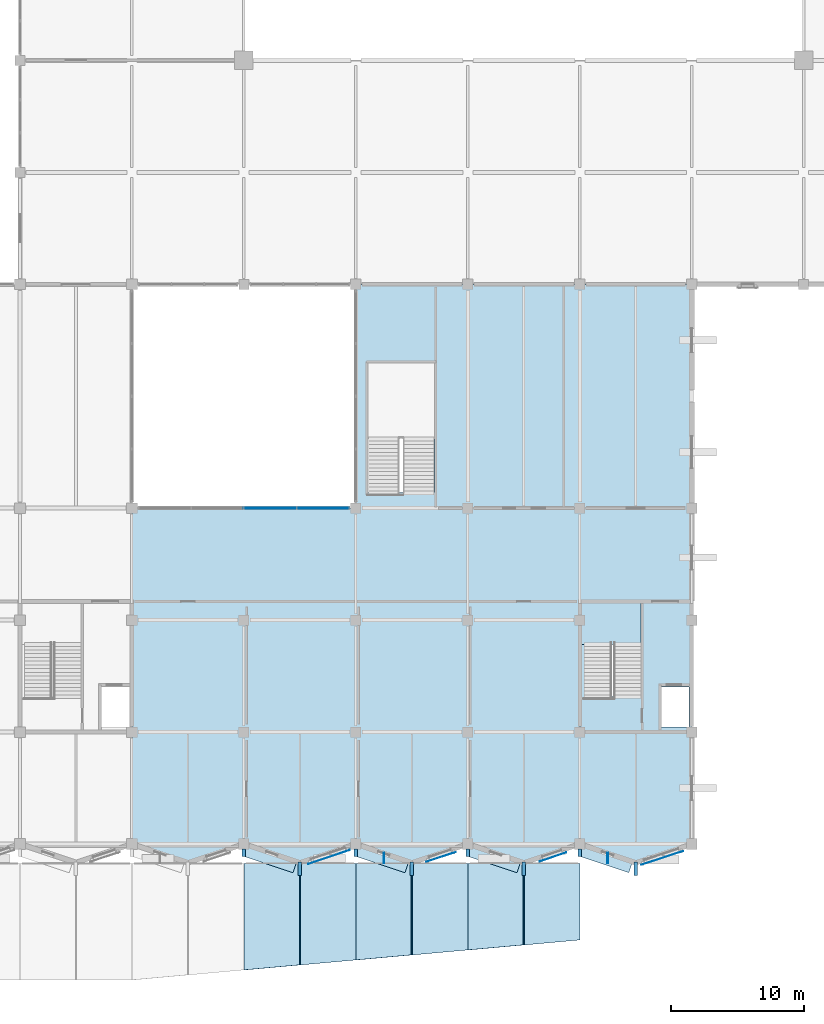
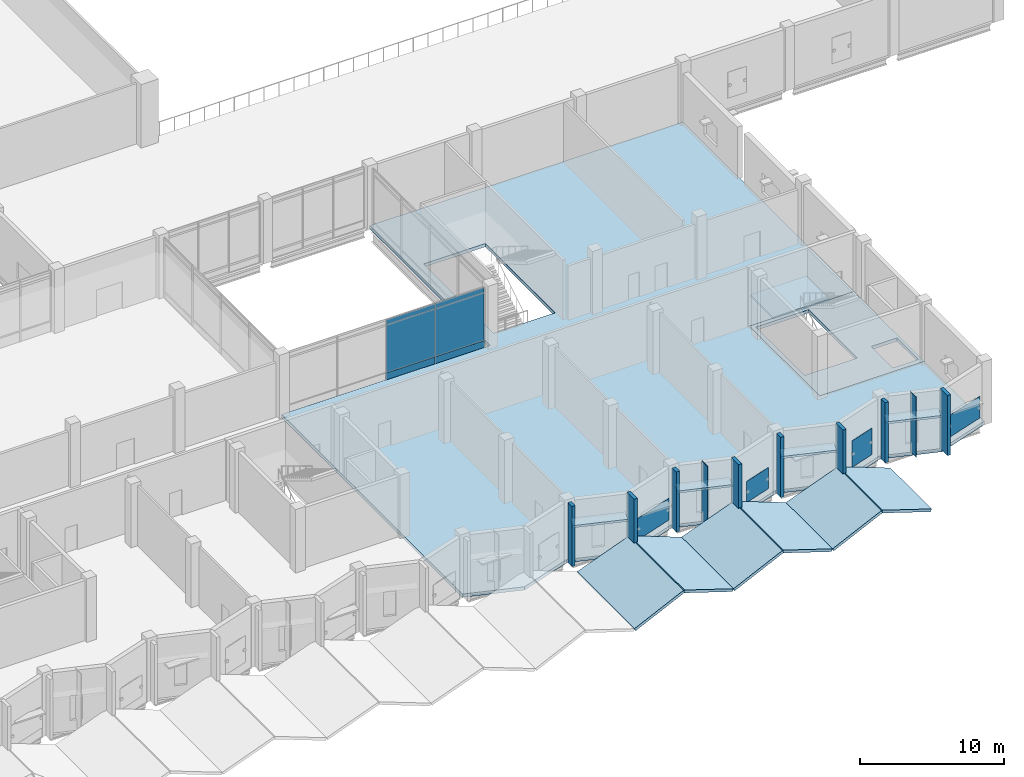
# One storey, part 42 of 72: 24 plates, 9 slabs, 2 elements without a shape of their own.
"""IFC4 building model written with IfcOpenShell, lengths in metres."""

from ifc_helpers import new_model, si_unit, direction, frame, frame_2d, origin, place, context, subcontext, project, spatial, polyline, rectangle, outline, extrude, material, layer, layer_set, type_object, element, aggregate, save


model = new_model("IFC4")

# Units and contexts
model_context = context("Model", 3, precision=1e-05, world=origin(), true_north=direction((0.0, 1.0)))
body_context = subcontext(model_context, "Body", "Model", "MODEL_VIEW")
ifc_project = project(units=[si_unit("LENGTHUNIT", "METRE"), si_unit("AREAUNIT", "SQUARE_METRE"), si_unit("VOLUMEUNIT", "CUBIC_METRE"), si_unit("PLANEANGLEUNIT", "RADIAN"), si_unit("MASSUNIT", "GRAM", prefix="KILO")], contexts=[model_context])

# Site, building, storey
site_placement = place(None, origin())
site = spatial("IfcSite", under=ifc_project, at=site_placement, CompositionType="ELEMENT")
building_placement = place(site_placement, origin())
building = spatial("IfcBuilding", under=site, at=building_placement, Name="Qawsi Khor Wholesale Market", CompositionType="ELEMENT")
storey_placement = place(building_placement, frame((0.0, 0.0, 6.0)))
storey = spatial("IfcBuildingStorey", under=building, at=storey_placement, Name="L01", CompositionType="ELEMENT", Elevation=6.0)

# Slabs
ifc_material_1 = material(Name="Concrete C40/50", Category="concrete")
ifc_layer_1 = layer(ifc_material_1, 0.22998046875, Name="Concrete C40/50")
ifc_layer_set_1 = layer_set([ifc_layer_1], Name="Concrete C40/50")
slab_type_1 = type_object("IfcSlabType", Name="Folded Concrete Canopy Slab 230 C40/50", PredefinedType="ROOF", material=ifc_layer_set_1)
slab_1_placement = place(storey_placement, frame((159.60009765625, -9.449951171875, -0.14990234375), z_axis=(-0.353447602704, 0.0, 0.935454323921), x_axis=(0.932137757173, 0.084132306676, 0.352194486933)))
element("IfcSlab", 1, at=slab_1_placement, inside=storey, type_object=slab_type_1, Name="Boulevard Origami Canopy Facet 19A", PredefinedType="ROOF", context=body_context, shape_type="SweptSolid", body=[
    extrude(outline(polyline([(0.0, 0.0), (4.457265167383402, -4.163336342344337e-17), (5.098774005790378, 7.597966268038161), (0.6730584534105974, 7.971636740236759), (0.0, 0.0)])), origin(), (0.0, 0.0, -1.0), 0.22998046875),
])
slab_2_placement = place(storey_placement, frame((163.844970703125, -9.074951171875, 1.419921875), z_axis=(0.353429429104, 0.0, 0.935461190346), x_axis=(0.932144938499, 0.084128011372, -0.352176505937)))
element("IfcSlab", 2, at=slab_2_placement, inside=storey, type_object=slab_type_1, Name="Boulevard Origami Canopy Facet 19B", PredefinedType="ROOF", context=body_context, shape_type="SweptSolid", body=[
    extrude(outline(polyline([(0.0, 0.0), (4.457492740954674, -6.938893903907228e-18), (5.067420823399003, 7.22429842505456), (0.6414760867086908, 7.597969033247037), (0.0, 0.0)])), origin(), (0.0, 0.0, -1.0), 0.22998046875),
])
slab_3_placement = place(storey_placement, frame((168.0, -8.699951171875, -0.14990234375), z_axis=(-0.353429429104, 0.0, 0.935461190346), x_axis=(0.932144938499, 0.084128011372, 0.352176505937)))
element("IfcSlab", 3, at=slab_3_placement, inside=storey, type_object=slab_type_1, Name="Boulevard Origami Canopy Facet 20A", PredefinedType="ROOF", context=body_context, shape_type="SweptSolid", body=[
    extrude(outline(polyline([(0.0, 0.0), (4.457492740954674, 0.0), (5.035872819134641, 6.850627816862082), (0.6099280824443291, 7.22429842505456), (0.0, 0.0)])), origin(), (0.0, 0.0, -1.0), 0.22998046875),
])
slab_4_placement = place(storey_placement, frame((172.2451171875, -8.324951171875, 1.419921875), z_axis=(0.353447602704, 0.0, 0.935454323921), x_axis=(0.932137757173, 0.084132306676, -0.352194486933)))
element("IfcSlab", 4, at=slab_4_placement, inside=storey, type_object=slab_type_1, Name="Boulevard Origami Canopy Facet 20B", PredefinedType="ROOF", context=body_context, shape_type="SweptSolid", body=[
    extrude(outline(polyline([(0.0, 0.0), (4.457265167383402, -4.163336342344337e-17), (5.0041251607795125, 6.4769548514423665), (0.5784096083997322, 6.850625323640965), (0.0, 0.0)])), origin(), (0.0, 0.0, -1.0), 0.22998046875),
])
slab_5_placement = place(storey_placement, frame((176.39990234375, -7.949951171875, -0.14990234375), z_axis=(-0.353429429104, 0.0, 0.935461190346), x_axis=(0.932144938499, 0.084128011372, 0.352176505937)))
element("IfcSlab", 5, at=slab_5_placement, inside=storey, type_object=slab_type_1, Name="Boulevard Origami Canopy Facet 21A", PredefinedType="ROOF", context=body_context, shape_type="SweptSolid", body=[
    extrude(outline(polyline([(0.0, 0.0), (4.457492740954674, 0.0), (4.972776810605917, 6.103286600477127), (0.5468320739156053, 6.476957208669605), (0.0, 0.0)])), origin(), (0.0, 0.0, -1.0), 0.22998046875),
])
slab_6_placement = place(storey_placement, frame((180.64501953125, -7.574951171875, 1.419921875), z_axis=(0.353429429104, 0.0, 0.935461190346), x_axis=(0.932144938499, 0.084128011372, -0.352176505937)))
element("IfcSlab", 6, at=slab_6_placement, inside=storey, type_object=slab_type_1, Name="Boulevard Origami Canopy Facet 21B", PredefinedType="ROOF", context=body_context, shape_type="SweptSolid", body=[
    extrude(outline(polyline([(0.0, 0.0), (4.457492740954674, 0.0), (4.941228806341556, 5.72961599228465), (0.5152840696512435, 6.103286600477127), (0.0, 0.0)])), origin(), (0.0, 0.0, -1.0), 0.22998046875),
])

# Curtain wall, plates
ifc_material_2 = material(Name="Aluminium Anodised Bronze", Category="aluminium")
ifc_layer_2 = layer(ifc_material_2, 0.179931640625, Name="Aluminium Anodised Bronze")
ifc_layer_set_2 = layer_set([ifc_layer_2], Name="Aluminium Anodised Bronze")
curtain_wall_type = type_object("IfcCurtainWallType", Name="Atrium Full-Height Curtain Wall CW-02", PredefinedType="NOTDEFINED", material=ifc_layer_set_2)
curtain_wall_placement = place(storey_placement, origin())
curtain_wall = element("IfcCurtainWall", 7, at=curtain_wall_placement, inside=storey, type_object=curtain_wall_type, Name="Curtain wall CW-CW-02-L01-036", PredefinedType="NOTDEFINED")
ifc_material_3 = material(Name="Anodised Aluminium Spandrel", Category="aluminium")
ifc_layer_3 = layer(ifc_material_3, 0.06494140625, Name="Anodised Aluminium Spandrel")
ifc_layer_set_3 = layer_set([ifc_layer_3], Name="Anodised Aluminium Spandrel")
plate_type_1 = type_object("IfcPlateType", Name="Insulated Spandrel Panel CW-02 65mm", PredefinedType="CURTAIN_PANEL", material=ifc_layer_set_3)
plate_1_placement = place(storey_placement, frame((159.60009765625, 25.199951171875, 0.0048828125), z_axis=(0.0, 0.0, 1.0), x_axis=(1.0, 0.0, 0.0)))
plate_1 = element("IfcPlate", 8, at=plate_1_placement, type_object=plate_type_1, Name="Curtain panel CW-CW-02-L01-036-P0_02", PredefinedType="CURTAIN_PANEL", context=body_context, shape_type="SweptSolid", body=[
    extrude(rectangle(XDim=3.952392578125, YDim=0.06494140625, at=frame_2d((1.97607421875, 0.0))), origin(), (0.0, 0.0, 1.0), 0.590087890625),
])
plate_2_placement = place(storey_placement, frame((163.552490234375, 25.199951171875, 0.0048828125), z_axis=(0.0, 0.0, 1.0), x_axis=(1.0, 0.0, 0.0)))
plate_2 = element("IfcPlate", 9, at=plate_2_placement, type_object=plate_type_1, Name="Curtain panel CW-CW-02-L01-036-P0_03", PredefinedType="CURTAIN_PANEL", context=body_context, shape_type="SweptSolid", body=[
    extrude(rectangle(XDim=3.952392578125, YDim=0.06494140625, at=frame_2d((1.97607421875, 0.0))), origin(), (0.0, 0.0, 1.0), 0.590087890625),
])

# Plates
ifc_material_4 = material(Name="Perforated Bronze-Anodised Aluminium", Category="aluminium")
ifc_layer_4 = layer(ifc_material_4, 0.014892578125, Name="Perforated Bronze-Anodised Aluminium")
ifc_layer_set_4 = layer_set([ifc_layer_4], Name="Perforated Bronze-Anodised Aluminium")
plate_type_2 = type_object("IfcPlateType", Name="Perforated Bronze Mashrabiya Screen 15mm", PredefinedType="SHEET", material=ifc_layer_set_4)
plate_3_placement = place(storey_placement, frame((167.555908203125, -0.448486328125, 0.85009765625), z_axis=(0.0, 0.0, 1.0), x_axis=(-0.948690696143, -0.316205570874, 0.0)))
element("IfcPlate", 10, at=plate_3_placement, inside=storey, type_object=plate_type_2, Name="Solar mashrabiya screen 017", PredefinedType="SHEET", context=body_context, shape_type="SweptSolid", body=[
    extrude(rectangle(XDim=3.300048828125, YDim=0.014892578125, at=frame_2d((1.64990234375, 0.0))), origin(), (0.0, 0.0, 1.0), 1.849853515625),
])
plate_4_placement = place(storey_placement, frame((175.4912109375, -0.603515625, 0.85009765625), z_axis=(0.0, 0.0, 1.0), x_axis=(-0.948714864533, -0.31613305081, 0.0)))
element("IfcPlate", 11, at=plate_4_placement, inside=storey, type_object=plate_type_2, Name="Solar mashrabiya screen 018", PredefinedType="SHEET", context=body_context, shape_type="SweptSolid", body=[
    extrude(rectangle(XDim=2.31982421875, YDim=0.014892578125, at=frame_2d((1.159912109375, 0.0))), origin(), (0.0, 0.0, 1.0), 1.7998046875),
])
plate_5_placement = place(storey_placement, frame((183.786865234375, -0.63818359375, 0.85009765625), z_axis=(0.0, 0.0, 1.0), x_axis=(-0.948683298051, -0.316227766017, 0.0)))
element("IfcPlate", 12, at=plate_5_placement, inside=storey, type_object=plate_type_2, Name="Solar mashrabiya screen 019", PredefinedType="SHEET", context=body_context, shape_type="SweptSolid", body=[
    extrude(rectangle(XDim=2.099853515625, YDim=0.014892578125, at=frame_2d((1.0498046875, 0.0))), origin(), (0.0, 0.0, 1.0), 2.25),
])
plate_6_placement = place(storey_placement, frame((192.557373046875, -0.528564453125, 0.85009765625), z_axis=(0.0, 0.0, 1.0), x_axis=(-0.949816505839, -0.312807616972, 0.0)))
element("IfcPlate", 13, at=plate_6_placement, inside=storey, type_object=plate_type_2, Name="Solar mashrabiya screen 020", PredefinedType="SHEET", context=body_context, shape_type="SweptSolid", body=[
    extrude(rectangle(XDim=3.2998046875, YDim=0.014892578125, at=frame_2d((1.64990234375, 0.0))), origin(), (0.0, 0.0, 1.0), 1.849853515625),
])
ifc_layer_5 = layer(ifc_material_1, 0.260009765625, Name="Concrete C40/50")
ifc_layer_set_5 = layer_set([ifc_layer_5], Name="Concrete C40/50")
plate_type_3 = type_object("IfcPlateType", Name="Sculpted Concrete Solar Buttress Fin 260", PredefinedType="SHEET", material=ifc_layer_set_5)
plate_7_placement = place(storey_placement, frame((159.60009765625, -0.949951171875, 0.0), z_axis=(0.0, 0.0, 1.0), x_axis=(0.0, 1.0, 0.0)))
element("IfcPlate", 14, at=plate_7_placement, inside=storey, type_object=plate_type_3, Name="Boulevard concrete solar buttress fin L01-32", PredefinedType="SHEET", context=body_context, shape_type="SweptSolid", body=[
    extrude(rectangle(XDim=0.570068359375, YDim=0.260009765625, at=frame_2d((0.28515625, 0.0))), origin(), (0.0, 0.0, 1.0), 5.1201171875),
])
plate_8_placement = place(storey_placement, frame((163.800048828125, -2.35009765625, 0.0), z_axis=(0.0, 0.0, 1.0), x_axis=(0.0, 1.0, 0.0)))
element("IfcPlate", 15, at=plate_8_placement, inside=storey, type_object=plate_type_3, Name="Boulevard concrete solar buttress fin L01-33", PredefinedType="SHEET", context=body_context, shape_type="SweptSolid", body=[
    extrude(rectangle(XDim=1.0, YDim=0.260009765625, at=frame_2d((0.5, 0.0))), origin(), (0.0, 0.0, 1.0), 5.1201171875),
])
plate_9_placement = place(storey_placement, frame((168.0, -0.949951171875, 0.0), z_axis=(0.0, 0.0, 1.0), x_axis=(0.0, 1.0, 0.0)))
element("IfcPlate", 16, at=plate_9_placement, inside=storey, type_object=plate_type_3, Name="Boulevard concrete solar buttress fin L01-34", PredefinedType="SHEET", context=body_context, shape_type="SweptSolid", body=[
    extrude(rectangle(XDim=0.570068359375, YDim=0.260009765625, at=frame_2d((0.28515625, 0.0))), origin(), (0.0, 0.0, 1.0), 5.1201171875),
])
plate_10_placement = place(storey_placement, frame((172.199951171875, -2.35009765625, 0.0), z_axis=(0.0, 0.0, 1.0), x_axis=(0.0, 1.0, 0.0)))
element("IfcPlate", 17, at=plate_10_placement, inside=storey, type_object=plate_type_3, Name="Boulevard concrete solar buttress fin L01-35", PredefinedType="SHEET", context=body_context, shape_type="SweptSolid", body=[
    extrude(rectangle(XDim=1.0, YDim=0.260009765625, at=frame_2d((0.5, 0.0))), origin(), (0.0, 0.0, 1.0), 5.1201171875),
])
plate_11_placement = place(storey_placement, frame((176.39990234375, -0.949951171875, 0.0), z_axis=(0.0, 0.0, 1.0), x_axis=(0.0, 1.0, 0.0)))
element("IfcPlate", 18, at=plate_11_placement, inside=storey, type_object=plate_type_3, Name="Boulevard concrete solar buttress fin L01-36", PredefinedType="SHEET", context=body_context, shape_type="SweptSolid", body=[
    extrude(rectangle(XDim=0.570068359375, YDim=0.260009765625, at=frame_2d((0.28515625, 0.0))), origin(), (0.0, 0.0, 1.0), 5.1201171875),
])
plate_12_placement = place(storey_placement, frame((180.60009765625, -2.35009765625, 0.0), z_axis=(0.0, 0.0, 1.0), x_axis=(0.0, 1.0, 0.0)))
element("IfcPlate", 19, at=plate_12_placement, inside=storey, type_object=plate_type_3, Name="Boulevard concrete solar buttress fin L01-37", PredefinedType="SHEET", context=body_context, shape_type="SweptSolid", body=[
    extrude(rectangle(XDim=1.0, YDim=0.260009765625, at=frame_2d((0.5, 0.0))), origin(), (0.0, 0.0, 1.0), 5.1201171875),
])
plate_13_placement = place(storey_placement, frame((184.800048828125, -0.949951171875, 0.0), z_axis=(0.0, 0.0, 1.0), x_axis=(0.0, 1.0, 0.0)))
element("IfcPlate", 20, at=plate_13_placement, inside=storey, type_object=plate_type_3, Name="Boulevard concrete solar buttress fin L01-38", PredefinedType="SHEET", context=body_context, shape_type="SweptSolid", body=[
    extrude(rectangle(XDim=0.570068359375, YDim=0.260009765625, at=frame_2d((0.28515625, 0.0))), origin(), (0.0, 0.0, 1.0), 5.1201171875),
])
plate_14_placement = place(storey_placement, frame((189.0, -2.35009765625, 0.0), z_axis=(0.0, 0.0, 1.0), x_axis=(0.0, 1.0, 0.0)))
element("IfcPlate", 21, at=plate_14_placement, inside=storey, type_object=plate_type_3, Name="Boulevard concrete solar buttress fin L01-39", PredefinedType="SHEET", context=body_context, shape_type="SweptSolid", body=[
    extrude(rectangle(XDim=1.0, YDim=0.260009765625, at=frame_2d((0.5, 0.0))), origin(), (0.0, 0.0, 1.0), 5.1201171875),
])
ifc_layer_6 = layer(ifc_material_1, 0.949951171875, Name="Concrete C40/50")
ifc_layer_set_6 = layer_set([ifc_layer_6], Name="Concrete C40/50")
plate_type_4 = type_object("IfcPlateType", Name="Sculpted Concrete Sun-Hood Canopy 950", PredefinedType="SHEET", material=ifc_layer_set_6)
for number, where, z_axis, x_axis, name in (
    (22, (159.710693359375, -0.45849609375, 3.25), (0.0, 0.0, 1.0), (0.94867708111, -0.316246416226, 0.0), "Sculpted concrete sun-hood L01-33"),
    (23, (168.110595703125, -0.45849609375, 3.25), (0.0, 0.0, 1.0), (0.94867708111, -0.316246416226, 0.0), "Sculpted concrete sun-hood L01-35"),
    (24, (176.5107421875, -0.45849609375, 3.25), (0.0, 0.0, 1.0), (0.94867708111, -0.316246416226, 0.0), "Sculpted concrete sun-hood L01-37"),
    (25, (184.91064453125, -0.45849609375, 3.25), (0.0, 0.0, 1.0), (0.94867708111, -0.316246416226, 0.0), "Sculpted concrete sun-hood L01-39"),
):
    element("IfcPlate", number, at=place(storey_placement, frame(where, z_axis=z_axis, x_axis=x_axis)), inside=storey, type_object=plate_type_4, Name=name, PredefinedType="SHEET", context=body_context, shape_type="SweptSolid", body=[
        extrude(rectangle(XDim=3.92724609375, YDim=0.949951171875, at=frame_2d((1.963623046875, 0.0))), origin(), (0.0, 0.0, 1.0), 0.18994140625),
    ])

# Plate
ifc_material_5 = material(Name="Tempered Low-E Solar Glass", Category="glass")
ifc_layer_7 = layer(ifc_material_5, 0.031982421875, Name="Tempered Low-E Solar Glass")
ifc_layer_set_7 = layer_set([ifc_layer_7], Name="Tempered Low-E Solar Glass")
plate_type_5 = type_object("IfcPlateType", Name="Solar Double-Glazed Unit CW-02 32mm", PredefinedType="CURTAIN_PANEL", material=ifc_layer_set_7)
plate_15_placement = place(storey_placement, frame((159.60009765625, 25.199951171875, 0.60498046875), z_axis=(0.0, 0.0, 1.0), x_axis=(1.0, 0.0, 0.0)))
plate_15 = element("IfcPlate", 26, at=plate_15_placement, type_object=plate_type_5, Name="Curtain panel CW-CW-02-L01-036-P1_02", PredefinedType="CURTAIN_PANEL", context=body_context, shape_type="SweptSolid", body=[
    extrude(rectangle(XDim=3.952392578125, YDim=0.031982421875, at=frame_2d((1.97607421875, 0.0))), origin(), (0.0, 0.0, 1.0), 4.06005859375),
])

plate_16_placement = place(storey_placement, frame((163.552490234375, 25.199951171875, 0.60498046875), z_axis=(0.0, 0.0, 1.0), x_axis=(1.0, 0.0, 0.0)))
plate_16 = element("IfcPlate", 27, at=plate_16_placement, type_object=plate_type_5, Name="Curtain panel CW-CW-02-L01-036-P1_03", PredefinedType="CURTAIN_PANEL", context=body_context, shape_type="SweptSolid", body=[
    extrude(rectangle(XDim=3.952392578125, YDim=0.031982421875, at=frame_2d((1.97607421875, 0.0))), origin(), (0.0, 0.0, 1.0), 4.06005859375),
])

plate_17_placement = place(storey_placement, frame((159.60009765625, 25.199951171875, 4.675048828125), z_axis=(0.0, 0.0, 1.0), x_axis=(1.0, 0.0, 0.0)))
plate_17 = element("IfcPlate", 28, at=plate_17_placement, type_object=plate_type_5, Name="Curtain panel CW-CW-02-L01-036-P2_02", PredefinedType="CURTAIN_PANEL", context=body_context, shape_type="SweptSolid", body=[
    extrude(rectangle(XDim=3.952392578125, YDim=0.031982421875, at=frame_2d((1.97607421875, 0.0))), origin(), (0.0, 0.0, 1.0), 0.43994140625),
])

plate_18_placement = place(storey_placement, frame((163.552490234375, 25.199951171875, 4.675048828125), z_axis=(0.0, 0.0, 1.0), x_axis=(1.0, 0.0, 0.0)))
plate_18 = element("IfcPlate", 29, at=plate_18_placement, type_object=plate_type_5, Name="Curtain panel CW-CW-02-L01-036-P2_03", PredefinedType="CURTAIN_PANEL", context=body_context, shape_type="SweptSolid", body=[
    extrude(rectangle(XDim=3.952392578125, YDim=0.031982421875, at=frame_2d((1.97607421875, 0.0))), origin(), (0.0, 0.0, 1.0), 0.43994140625),
])

aggregate(curtain_wall, [plate_1, plate_2, plate_15, plate_16, plate_17, plate_18])

# Stair, slab
stair_type = type_object("IfcStairType", Name="Exit Stair L01-L02 5400 Rise", PredefinedType="HALF_TURN_STAIR", material=ifc_material_1)
stair_placement = place(storey_placement, origin())
stair = element("IfcStair", 30, at=stair_placement, inside=storey, type_object=stair_type, Name="Stair ST-06 L01", PredefinedType="HALF_TURN_STAIR")
ifc_layer_8 = layer(ifc_material_1, 0.179931640625, Name="Concrete C40/50")
ifc_layer_set_8 = layer_set([ifc_layer_8], Name="Concrete C40/50")
slab_type_2 = type_object("IfcSlabType", Name="Stair Half-Landing Slab 180 C40/50", PredefinedType="LANDING", material=ifc_layer_set_8)
slab_7_placement = place(storey_placement, frame((0.0, 0.0, 2.52001953125)))
slab_7 = element("IfcSlab", 31, at=slab_7_placement, type_object=slab_type_2, Name="ST-06-L01 landing 1", PredefinedType="LANDING", context=body_context, shape_type="SweptSolid", body=[
    extrude(outline(polyline([(184.85009765625, 14.9599609375), (189.3798828125, 14.9599609375), (189.3798828125, 18.14990234375), (184.85009765625, 18.14990234375), (184.85009765625, 14.9599609375)])), origin(), (0.0, 0.0, 1.0), 0.179931640625),
])
aggregate(stair, [slab_7])

# Slabs
ifc_layer_9 = layer(ifc_material_1, 0.280029296875, Name="Concrete C40/50")
ifc_layer_set_9 = layer_set([ifc_layer_9], Name="Concrete C40/50")
slab_type_3 = type_object("IfcSlabType", Name="Suspended Floor Slab 280 C40/50", PredefinedType="FLOOR", material=ifc_layer_set_9)
slab_8_placement = place(storey_placement, frame((0.0, 0.0, -0.280029296875)))
element("IfcSlab", 32, at=slab_8_placement, inside=storey, type_object=slab_type_3, Name="Core floor slab L01 C06", PredefinedType="FLOOR", context=body_context, shape_type="SweptSolid", body=[
    extrude(outline(polyline([(184.800048828125, 18.199951171875), (193.199951171875, 18.199951171875), (193.199951171875, 8.39990234375), (184.800048828125, 8.39990234375), (184.800048828125, 18.199951171875)]), holes=[polyline([(190.919921875, 8.800048828125), (193.0, 8.800048828125), (193.0, 11.800048828125), (190.919921875, 11.800048828125), (190.919921875, 8.800048828125)]), polyline([(185.139892578125, 11.080078125), (189.3798828125, 11.080078125), (189.3798828125, 17.860107421875), (185.139892578125, 17.860107421875), (185.139892578125, 11.080078125)])]), origin(), (0.0, 0.0, 1.0), 0.280029296875),
])
slab_9_placement = place(storey_placement, frame((0.0, 0.0, -0.280029296875)))
element("IfcSlab", 33, at=slab_9_placement, inside=storey, type_object=slab_type_3, Name="SLB-L01-SWING-4", PredefinedType="FLOOR", context=body_context, shape_type="SweptSolid", body=[
    extrude(outline(polyline([(151.199951171875, 8.39990234375), (151.199951171875, 18.199951171875), (151.199951171875, 25.199951171875), (168.0, 25.199951171875), (168.0, 42.0), (193.199951171875, 42.0), (193.199951171875, 18.199951171875), (184.800048828125, 18.199951171875), (184.800048828125, 8.39990234375), (193.199951171875, 8.39990234375), (193.199951171875, 0.0), (189.0, -1.39990234375), (184.800048828125, 0.0), (180.60009765625, -1.39990234375), (176.39990234375, 0.0), (172.199951171875, -1.39990234375), (168.0, 0.0), (163.800048828125, -1.39990234375), (159.60009765625, 0.0), (155.39990234375, -1.39990234375), (151.199951171875, 0.0), (151.199951171875, 8.39990234375)]), holes=[polyline([(173.8798828125, 26.360107421875), (173.8798828125, 36.080078125), (168.919921875, 36.080078125), (168.919921875, 26.360107421875), (173.8798828125, 26.360107421875)])]), origin(), (0.0, 0.0, 1.0), 0.280029296875),
])

# Plates
ifc_layer_10 = layer(ifc_material_4, 0.044921875, Name="Perforated Bronze-Anodised Aluminium")
ifc_layer_set_10 = layer_set([ifc_layer_10], Name="Perforated Bronze-Anodised Aluminium")
plate_type_6 = type_object("IfcPlateType", Name="Vertical Sculpted Sun-Fin Plate 45mm", PredefinedType="SHEET", material=ifc_layer_set_10)
for number, where, z_axis, x_axis, name in (
    (34, (170.10009765625, -1.449951171875, 0.0), (0.0, 0.0, 1.0), (0.0, 1.0, 0.0), "Sculpted vertical sun-fin L01-34"),
    (35, (186.89990234375, -1.449951171875, 0.0), (0.0, 0.0, 1.0), (0.0, 1.0, 0.0), "Sculpted vertical sun-fin L01-38"),
):
    element("IfcPlate", number, at=place(storey_placement, frame(where, z_axis=z_axis, x_axis=x_axis)), inside=storey, type_object=plate_type_6, Name=name, PredefinedType="SHEET", context=body_context, shape_type="SweptSolid", body=[
        extrude(rectangle(XDim=0.800048828125, YDim=0.044921875, at=frame_2d((0.39990234375, 0.0))), origin(), (0.0, 0.0, 1.0), 5.1201171875),
    ])

save(model, "model.ifc")
